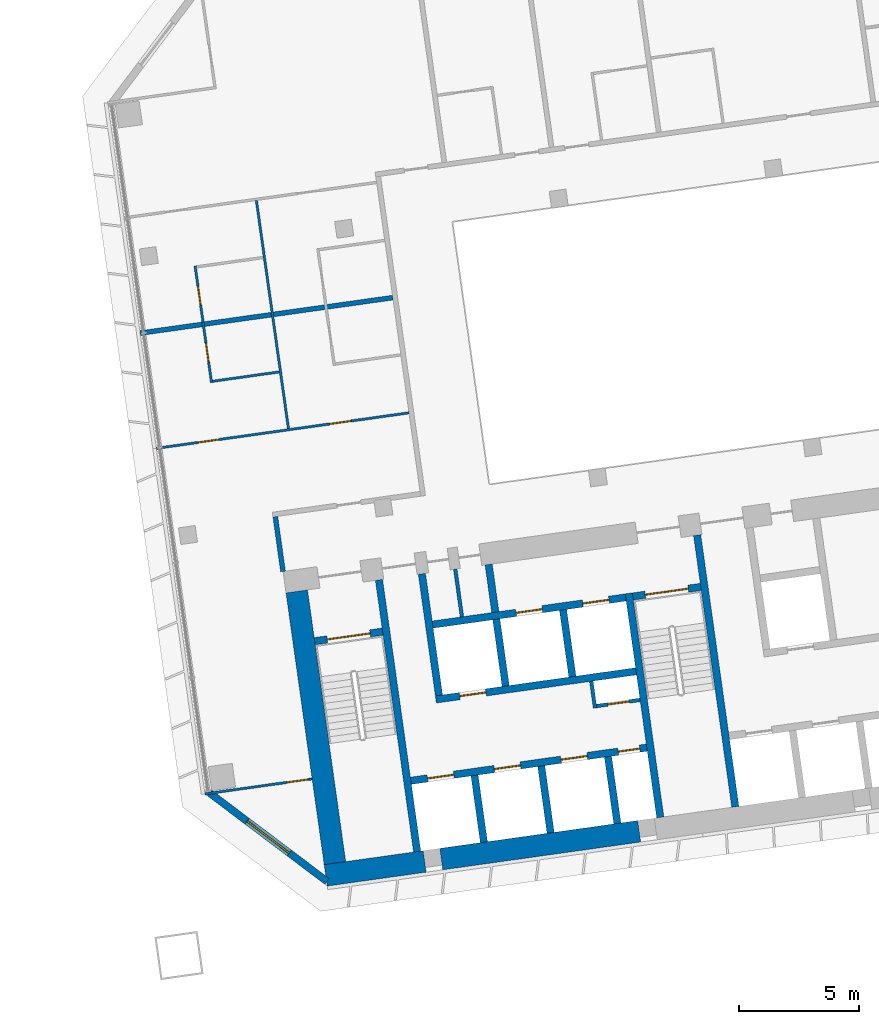
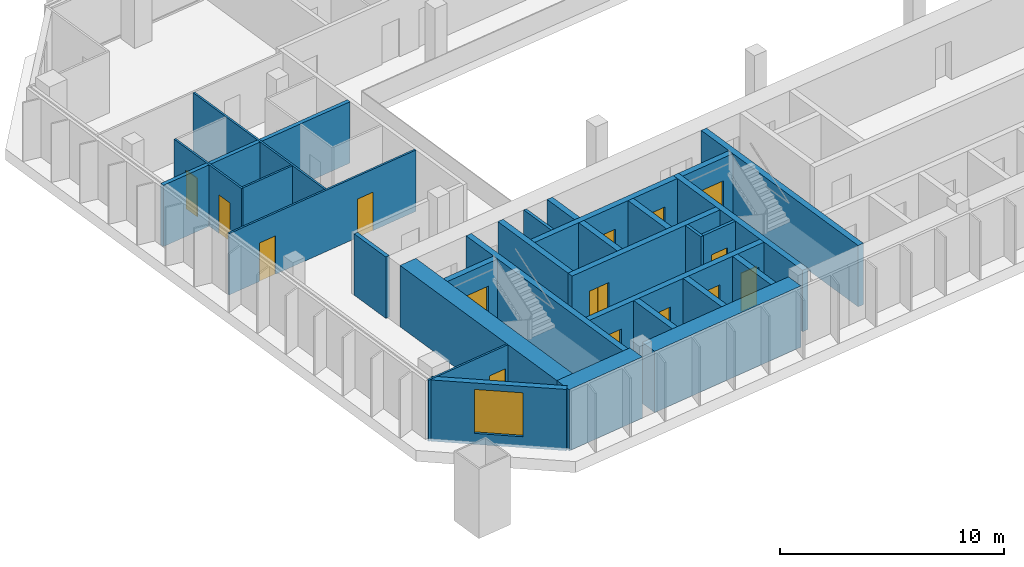
# One storey, part 18 of 25: 29 walls, 15 doors, 1 window, 16 openings.
"""IFC4 building model written with IfcOpenShell, lengths in metres."""

from ifc_helpers import new_model, si_unit, direction, frame, frame_2d, origin, place, context, subcontext, project, spatial, rectangle, extrude, material, layer, layer_set, type_object, element, fill, save


model = new_model("IFC4")

# Units and contexts
model_context = context("Model", 3, precision=1e-05, world=origin(), true_north=direction((0.0, 1.0)))
body_context = subcontext(model_context, "Body", "Model", "MODEL_VIEW")
ifc_project = project(units=[si_unit("LENGTHUNIT", "METRE"), si_unit("AREAUNIT", "SQUARE_METRE"), si_unit("VOLUMEUNIT", "CUBIC_METRE"), si_unit("PLANEANGLEUNIT", "RADIAN"), si_unit("MASSUNIT", "GRAM", prefix="KILO")], contexts=[model_context])

# Site, building, storey
site_placement = place(None, origin())
site = spatial("IfcSite", under=ifc_project, at=site_placement, CompositionType="ELEMENT")
building_placement = place(site_placement, origin())
building = spatial("IfcBuilding", under=site, at=building_placement, Name="Mirante Cascada Hotel Towers", CompositionType="ELEMENT")
storey_placement = place(building_placement, frame((0.0, 0.0, 69.9)))
storey = spatial("IfcBuildingStorey", under=building, at=storey_placement, Name="L14", CompositionType="ELEMENT", Elevation=69.9)

# Walls
ifc_material_1 = material(Name="Fire-rated plasterboard on metal studs")
ifc_layer_1 = layer(ifc_material_1, 0.2)
ifc_layer_set_1 = layer_set([ifc_layer_1], Name="Compartment wall 200 EI 120")
wall_type_1 = type_object("IfcWallType", Name="Compartment wall 200 EI 120", PredefinedType="PARTITIONING", material=ifc_layer_set_1)
wall_1_placement = place(storey_placement, frame((29.3273, 2.7863, 0.0), z_axis=(0.0, 0.0, 1.0), x_axis=(0.9902686, 0.1391691, 0.0)))
element("IfcWall", 1, at=wall_1_placement, inside=storey, type_object=wall_type_1, Name="Wall 2-L14-11", PredefinedType="PARTITIONING", context=body_context, shape_type="SweptSolid", body=[
    extrude(rectangle(XDim=10.6001, YDim=0.2, at=frame_2d((5.3, 0.0))), origin(), (0.0, 0.0, 1.0), 3.35),
])
wall_2_placement = place(storey_placement, frame((34.9433, -4.8397, 0.0), z_axis=(0.0, 0.0, 1.0), x_axis=(0.1391749, -0.9902678, 0.0)))
element("IfcWall", 2, at=wall_2_placement, inside=storey, type_object=wall_type_1, Name="Wall 2-L14-30", PredefinedType="PARTITIONING", context=body_context, shape_type="SweptSolid", body=[
    extrude(rectangle(XDim=2.3, YDim=0.2, at=frame_2d((1.15, 0.0))), origin(), (0.0, 0.0, 1.0), 3.35),
])
ifc_material_2 = material(Name="Masonry block", Category="masonry")
ifc_layer_2 = layer(ifc_material_2, 0.15)
ifc_layer_set_2 = layer_set([ifc_layer_2], Name="Core room partition 150 block EI 30")
wall_type_2 = type_object("IfcWallType", Name="Core room partition 150 block EI 30", PredefinedType="PARTITIONING", material=ifc_layer_set_2)
wall_3_placement = place(storey_placement, frame((48.2295, -12.793, 0.0), z_axis=(0.0, 0.0, 1.0), x_axis=(-0.1391935, 0.9902652, 0.0)))
element("IfcWall", 3, at=wall_3_placement, inside=storey, type_object=wall_type_2, Name="Core wall partition T2 L14 2", PredefinedType="PARTITIONING", context=body_context, shape_type="SweptSolid", body=[
    extrude(rectangle(XDim=1.1251, YDim=0.15, at=frame_2d((0.5626, 0.0))), origin(), (0.0, 0.0, 1.0), 3.35),
])

# Wall, opening, door
wall_4_placement = place(storey_placement, frame((48.2933, -12.7083, 0.0), z_axis=(0.0, 0.0, 1.0), x_axis=(0.990268, 0.1391734, 0.0)))
wall_4 = element("IfcWall", 4, at=wall_4_placement, inside=storey, type_object=wall_type_2, Name="Core wall partition T2 L14 3", PredefinedType="PARTITIONING", context=body_context, shape_type="SweptSolid", body=[
    extrude(rectangle(XDim=1.8251, YDim=0.15, at=frame_2d((0.9126, 0.0))), origin(), (0.0, 0.0, 1.0), 3.35),
])
opening_1_placement = place(wall_4_placement, frame((0.4625, 0.0, 0.0)))
opening_1 = element("IfcOpeningElement", 5, at=opening_1_placement, cuts=wall_4, Name="Opening D2-14-C23", PredefinedType="OPENING", context=body_context, shape_type="SweptSolid", body=[
    extrude(rectangle(XDim=0.9, YDim=2.1, at=frame_2d((0.45, 1.05))), frame((0.0, 0.075, 0.0), z_axis=(0.0, -1.0, 0.0), x_axis=(1.0, 0.0, 0.0)), (0.0, 0.0, 1.0), 0.15),
])
ifc_material_3 = material(Name="Hollow metal fire door leaf")
door_type_1 = type_object("IfcDoorType", Name="Fire door 900x2100 FD60", OperationType="NOTDEFINED", PredefinedType="DOOR", material=ifc_material_3)
door_1_placement = place(opening_1_placement, frame((0.9, 0.0, 0.0), z_axis=(0.0, 0.0, 1.0), x_axis=(-1.0, 0.0, 0.0)))
door_1 = element("IfcDoor", 6, at=door_1_placement, inside=storey, type_object=door_type_1, Name="Riser door T2 L14 23", OperationType="SINGLE_SWING_RIGHT", OverallHeight=2.1, OverallWidth=0.9, PredefinedType="DOOR", context=body_context, shape_type="SweptSolid", body=[
    extrude(rectangle(XDim=0.9, YDim=2.1, at=frame_2d((0.45, 1.05))), frame((0.0, 0.025, 0.0), z_axis=(0.0, -1.0, 0.0), x_axis=(1.0, 0.0, 0.0)), (0.0, 0.0, 1.0), 0.05),
])
fill(opening_1, door_1)

# Walls
wall_5_placement = place(storey_placement, frame((42.6979, -9.0009, 0.0), z_axis=(0.0, 0.0, 1.0), x_axis=(-0.1391529, 0.9902709, 0.0)))
element("IfcWall", 7, at=wall_5_placement, inside=storey, type_object=wall_type_2, Name="Core wall partition T2 L14 4", PredefinedType="PARTITIONING", context=body_context, shape_type="SweptSolid", body=[
    extrude(rectangle(XDim=2.0, YDim=0.15, at=frame_2d((1.0, 0.0))), origin(), (0.0, 0.0, 1.0), 3.35),
])
ifc_material_4 = material(Name="Masonry block", Category="masonry")
ifc_layer_3 = layer(ifc_material_4, 0.3)
ifc_layer_set_3 = layer_set([ifc_layer_3], Name="Core wall 300 block EI 120")
wall_type_3 = type_object("IfcWallType", Name="Core wall 300 block EI 120", PredefinedType="PARTITIONING", material=ifc_layer_set_3)
wall_6_placement = place(storey_placement, frame((44.0843, -8.8061, 0.0), z_axis=(0.0, 0.0, 1.0), x_axis=(-0.1391951, 0.990265, 0.0)))
element("IfcWall", 8, at=wall_6_placement, inside=storey, type_object=wall_type_3, Name="Core wall partition T2 L14 1", PredefinedType="PARTITIONING", context=body_context, shape_type="SweptSolid", body=[
    extrude(rectangle(XDim=2.0001, YDim=0.3, at=frame_2d((1.0001, 0.0))), origin(), (0.0, 0.0, 1.0), 3.35),
])

# Wall, opening, door
ifc_material_5 = material(Name="Plasterboard on metal studs")
ifc_layer_4 = layer(ifc_material_5, 0.1)
ifc_layer_set_4 = layer_set([ifc_layer_4], Name="Partition 100")
wall_type_4 = type_object("IfcWallType", Name="Partition 100", PredefinedType="PARTITIONING", material=ifc_layer_set_4)
wall_7_placement = place(storey_placement, frame((32.018, -16.3589, 0.0), z_axis=(0.0, 0.0, 1.0), x_axis=(0.9902674, 0.1391779, 0.0)))
wall_7 = element("IfcWall", 9, at=wall_7_placement, inside=storey, type_object=wall_type_4, Name="Wall 2-L14-01", PredefinedType="PARTITIONING", context=body_context, shape_type="SweptSolid", body=[
    extrude(rectangle(XDim=4.5, YDim=0.1, at=frame_2d((2.25, 0.0))), origin(), (0.0, 0.0, 1.0), 3.35),
])
opening_2_placement = place(wall_7_placement, frame((3.45, 0.0, 0.0)))
opening_2 = element("IfcOpeningElement", 10, at=opening_2_placement, cuts=wall_7, Name="Opening D2-L14-01", PredefinedType="OPENING", context=body_context, shape_type="SweptSolid", body=[
    extrude(rectangle(XDim=0.9, YDim=2.1, at=frame_2d((0.45, 1.05))), frame((0.0, 0.05, 0.0), z_axis=(0.0, -1.0, 0.0), x_axis=(1.0, 0.0, 0.0)), (0.0, 0.0, 1.0), 0.1),
])
ifc_material_6 = material(Name="Timber door leaf", Category="wood")
door_type_2 = type_object("IfcDoorType", Name="Room door DG3 900x2100", OperationType="SINGLE_SWING_LEFT", PredefinedType="DOOR", material=ifc_material_6)
door_2_placement = place(opening_2_placement, origin())
door_2 = element("IfcDoor", 11, at=door_2_placement, inside=storey, type_object=door_type_2, Name="Door D2-L14-01", OperationType="SINGLE_SWING_LEFT", OverallHeight=2.1, OverallWidth=0.9, PredefinedType="DOOR", context=body_context, shape_type="SweptSolid", body=[
    extrude(rectangle(XDim=0.9, YDim=2.1, at=frame_2d((0.45, 1.05))), frame((0.0, 0.025, 0.0), z_axis=(0.0, -1.0, 0.0), x_axis=(1.0, 0.0, 0.0)), (0.0, 0.0, 1.0), 0.05),
])
fill(opening_2, door_2)

# Wall, openings, doors
wall_8_placement = place(storey_placement, frame((40.4968, -0.5248, 0.0), z_axis=(0.0, 0.0, 1.0), x_axis=(-0.9902684, -0.1391704, 0.0)))
wall_8 = element("IfcWall", 12, at=wall_8_placement, inside=storey, type_object=wall_type_4, Name="Wall 2-L14-06", PredefinedType="PARTITIONING", context=body_context, shape_type="SweptSolid", body=[
    extrude(rectangle(XDim=10.6, YDim=0.1, at=frame_2d((5.3, 0.0))), origin(), (0.0, 0.0, 1.0), 3.35),
])
opening_3_placement = place(wall_8_placement, frame((7.975, 0.0, 0.0)))
opening_3 = element("IfcOpeningElement", 13, at=opening_3_placement, cuts=wall_8, Name="Opening D2-L14-05", PredefinedType="OPENING", context=body_context, shape_type="SweptSolid", body=[
    extrude(rectangle(XDim=0.9, YDim=2.1, at=frame_2d((0.45, 1.05))), frame((0.0, 0.05, 0.0), z_axis=(0.0, -1.0, 0.0), x_axis=(1.0, 0.0, 0.0)), (0.0, 0.0, 1.0), 0.1),
])
opening_4_placement = place(wall_8_placement, frame((2.425, 0.0, 0.0)))
opening_4 = element("IfcOpeningElement", 14, at=opening_4_placement, cuts=wall_8, Name="Opening D2-L14-06", PredefinedType="OPENING", context=body_context, shape_type="SweptSolid", body=[
    extrude(rectangle(XDim=0.9, YDim=2.1, at=frame_2d((0.45, 1.05))), frame((0.0, 0.05, 0.0), z_axis=(0.0, -1.0, 0.0), x_axis=(1.0, 0.0, 0.0)), (0.0, 0.0, 1.0), 0.1),
])
door_3_placement = place(opening_3_placement, origin())
door_3 = element("IfcDoor", 15, at=door_3_placement, inside=storey, type_object=door_type_2, Name="Door D2-L14-05", OperationType="SINGLE_SWING_LEFT", OverallHeight=2.1, OverallWidth=0.9, PredefinedType="DOOR", context=body_context, shape_type="SweptSolid", body=[
    extrude(rectangle(XDim=0.9, YDim=2.1, at=frame_2d((0.45, 1.05))), frame((0.0, 0.025, 0.0), z_axis=(0.0, -1.0, 0.0), x_axis=(1.0, 0.0, 0.0)), (0.0, 0.0, 1.0), 0.05),
])
fill(opening_3, door_3)
door_4_placement = place(opening_4_placement, origin())
door_4 = element("IfcDoor", 16, at=door_4_placement, inside=storey, type_object=door_type_2, Name="Door D2-L14-06", OperationType="SINGLE_SWING_LEFT", OverallHeight=2.1, OverallWidth=0.9, PredefinedType="DOOR", context=body_context, shape_type="SweptSolid", body=[
    extrude(rectangle(XDim=0.9, YDim=2.1, at=frame_2d((0.45, 1.05))), frame((0.0, 0.025, 0.0), z_axis=(0.0, -1.0, 0.0), x_axis=(1.0, 0.0, 0.0)), (0.0, 0.0, 1.0), 0.05),
])
fill(opening_4, door_4)

# Wall
wall_9_placement = place(storey_placement, frame((32.3351, 0.7854, 0.0), z_axis=(0.0, 0.0, 1.0), x_axis=(0.990267, 0.139181, 0.0)))
element("IfcWall", 17, at=wall_9_placement, inside=storey, type_object=wall_type_4, Name="Wall 2-L14-09", PredefinedType="PARTITIONING", context=body_context, shape_type="SweptSolid", body=[
    extrude(rectangle(XDim=2.8, YDim=0.1, at=frame_2d((1.4, 0.0))), origin(), (0.0, 0.0, 1.0), 3.35),
])

# Wall, openings, doors
wall_10_placement = place(storey_placement, frame((32.2925, 0.7289, 0.0), z_axis=(0.0, 0.0, 1.0), x_axis=(-0.1391638, 0.9902694, 0.0)))
wall_10 = element("IfcWall", 18, at=wall_10_placement, inside=storey, type_object=wall_type_4, Name="Wall 2-L14-29", PredefinedType="PARTITIONING", context=body_context, shape_type="SweptSolid", body=[
    extrude(rectangle(XDim=4.9, YDim=0.1, at=frame_2d((2.45, 0.0))), origin(), (0.0, 0.0, 1.0), 3.35),
])
opening_5_placement = place(wall_10_placement, frame((0.85, 0.0, 0.0)))
opening_5 = element("IfcOpeningElement", 19, at=opening_5_placement, cuts=wall_10, Name="Opening D2-L14-29", PredefinedType="OPENING", context=body_context, shape_type="SweptSolid", body=[
    extrude(rectangle(XDim=0.8, YDim=2.1, at=frame_2d((0.4, 1.05))), frame((0.0, 0.05, 0.0), z_axis=(0.0, -1.0, 0.0), x_axis=(1.0, 0.0, 0.0)), (0.0, 0.0, 1.0), 0.1),
])
opening_6_placement = place(wall_10_placement, frame((3.25, 0.0, 0.0)))
opening_6 = element("IfcOpeningElement", 20, at=opening_6_placement, cuts=wall_10, Name="Opening D2-L14-30", PredefinedType="OPENING", context=body_context, shape_type="SweptSolid", body=[
    extrude(rectangle(XDim=0.8, YDim=2.1, at=frame_2d((0.4, 1.05))), frame((0.0, 0.05, 0.0), z_axis=(0.0, -1.0, 0.0), x_axis=(1.0, 0.0, 0.0)), (0.0, 0.0, 1.0), 0.1),
])
ifc_material_7 = material(Name="Timber door leaf", Category="wood")
door_type_3 = type_object("IfcDoorType", Name="Bathroom door DG4 800x2100", OperationType="SINGLE_SWING_LEFT", PredefinedType="DOOR", material=ifc_material_7)
door_5_placement = place(opening_5_placement, frame((0.8, 0.0, 0.0), z_axis=(0.0, 0.0, 1.0), x_axis=(-1.0, 0.0, 0.0)))
door_5 = element("IfcDoor", 21, at=door_5_placement, inside=storey, type_object=door_type_3, Name="Door D2-L14-29", OperationType="SINGLE_SWING_RIGHT", OverallHeight=2.1, OverallWidth=0.8, PredefinedType="DOOR", context=body_context, shape_type="SweptSolid", body=[
    extrude(rectangle(XDim=0.8, YDim=2.1, at=frame_2d((0.4, 1.05))), frame((0.0, 0.025, 0.0), z_axis=(0.0, -1.0, 0.0), x_axis=(1.0, 0.0, 0.0)), (0.0, 0.0, 1.0), 0.05),
])
fill(opening_5, door_5)
door_6_placement = place(opening_6_placement, frame((0.8, 0.0, 0.0), z_axis=(0.0, 0.0, 1.0), x_axis=(-1.0, 0.0, 0.0)))
door_6 = element("IfcDoor", 22, at=door_6_placement, inside=storey, type_object=door_type_3, Name="Door D2-L14-30", OperationType="SINGLE_SWING_RIGHT", OverallHeight=2.1, OverallWidth=0.8, PredefinedType="DOOR", context=body_context, shape_type="SweptSolid", body=[
    extrude(rectangle(XDim=0.8, YDim=2.1, at=frame_2d((0.4, 1.05))), frame((0.0, 0.025, 0.0), z_axis=(0.0, -1.0, 0.0), x_axis=(1.0, 0.0, 0.0)), (0.0, 0.0, 1.0), 0.05),
])
fill(opening_6, door_6)

# Wall
wall_11_placement = place(storey_placement, frame((34.1576, 8.2955, 0.0), z_axis=(0.0, 0.0, 1.0), x_axis=(0.1391703, -0.9902685, 0.0)))
element("IfcWall", 23, at=wall_11_placement, inside=storey, type_object=wall_type_4, Name="Wall 2-L14-32", PredefinedType="PARTITIONING", context=body_context, shape_type="SweptSolid", body=[
    extrude(rectangle(XDim=9.5667, YDim=0.1, at=frame_2d((4.7834, 0.0))), origin(), (0.0, 0.0, 1.0), 3.35),
])

# Wall, opening, window
ifc_material_8 = material(Name="Precast concrete C40/50", Category="concrete")
ifc_layer_5 = layer(ifc_material_8, 0.3)
ifc_layer_set_5 = layer_set([ifc_layer_5], Name="Precast concrete C40/50 cladding wall 300")
wall_type_5 = type_object("IfcWallType", Name="Precast concrete C40/50 cladding wall 300", PredefinedType="STANDARD", material=ifc_layer_set_5)
wall_12_placement = place(storey_placement, frame((32.2074, -16.3138, 0.0), z_axis=(0.0, 0.0, 1.0), x_axis=(0.7986362, -0.6018141, 0.0)))
wall_12 = element("IfcWall", 24, at=wall_12_placement, inside=storey, type_object=wall_type_5, Name="Corner cladding wall T2 L14 inner rear", PredefinedType="STANDARD", context=body_context, shape_type="SweptSolid", body=[
    extrude(rectangle(XDim=6.1157, YDim=0.3, at=frame_2d((3.0578, 0.0))), origin(), (0.0, 0.0, 1.0), 3.35),
])
opening_7_placement = place(wall_12_placement, frame((1.9578, 0.0, 0.6)))
opening_7 = element("IfcOpeningElement", 25, at=opening_7_placement, cuts=wall_12, Name="Opening W2-14-05", PredefinedType="OPENING", context=body_context, shape_type="SweptSolid", body=[
    extrude(rectangle(XDim=2.2, YDim=2.4, at=frame_2d((1.1, 1.2))), frame((0.0, 0.15, 0.0), z_axis=(0.0, -1.0, 0.0), x_axis=(1.0, 0.0, 0.0)), (0.0, 0.0, 1.0), 0.3),
])
ifc_material_9 = material(Name="Aluminium frame with clear double glazing", Category="aluminium")
window_type = type_object("IfcWindowType", Name="Corner suite window 2200x2400", PartitioningType="DOUBLE_PANEL_VERTICAL", PredefinedType="WINDOW", material=ifc_material_9)
window_placement = place(opening_7_placement, origin())
window = element("IfcWindow", 26, at=window_placement, inside=storey, type_object=window_type, Name="Window W2-14-05", OverallHeight=2.4, OverallWidth=2.2, PartitioningType="SINGLE_PANEL", PredefinedType="WINDOW", context=body_context, shape_type="SweptSolid", body=[
    extrude(rectangle(XDim=2.2, YDim=2.4, at=frame_2d((1.1, 1.2))), frame((0.0, 0.03, 0.0), z_axis=(0.0, -1.0, 0.0), x_axis=(1.0, 0.0, 0.0)), (0.0, 0.0, 1.0), 0.06),
])
fill(opening_7, window)

# Walls
ifc_material_10 = material(Name="Concrete C50/60", Category="concrete")
ifc_layer_6 = layer(ifc_material_10, 0.3)
ifc_layer_set_6 = layer_set([ifc_layer_6], Name="RC core wall 300 C50/60")
wall_type_6 = type_object("IfcWallType", Name="RC core wall 300 C50/60", PredefinedType="SHEAR", material=ifc_layer_set_6)
wall_13_placement = place(storey_placement, frame((40.8373, -18.7548, 0.0), z_axis=(0.0, 0.0, 1.0), x_axis=(-0.1391749, 0.9902678, 0.0)))
element("IfcWall", 27, at=wall_13_placement, inside=storey, type_object=wall_type_6, Name="Core wall T2:L14:5", PredefinedType="SHEAR", context=body_context, shape_type="SweptSolid", body=[
    extrude(rectangle(XDim=11.4, YDim=0.3, at=frame_2d((5.7, 0.0))), origin(), (0.0, 0.0, 1.0), 3.35),
])
wall_14_placement = place(storey_placement, frame((50.938, -17.3352, 0.0), z_axis=(0.0, 0.0, 1.0), x_axis=(-0.1391706, 0.9902684, 0.0)))
element("IfcWall", 28, at=wall_14_placement, inside=storey, type_object=wall_type_6, Name="Core wall T2:L14:6", PredefinedType="SHEAR", context=body_context, shape_type="SweptSolid", body=[
    extrude(rectangle(XDim=9.4, YDim=0.3, at=frame_2d((4.7, 0.0))), origin(), (0.0, 0.0, 1.0), 3.35),
])
wall_15_placement = place(storey_placement, frame((54.0574, -16.8968, 0.0), z_axis=(0.0, 0.0, 1.0), x_axis=(-0.1391761, 0.9902677, 0.0)))
element("IfcWall", 29, at=wall_15_placement, inside=storey, type_object=wall_type_6, Name="Core wall T2:L14:7", PredefinedType="SHEAR", context=body_context, shape_type="SweptSolid", body=[
    extrude(rectangle(XDim=11.3999, YDim=0.3, at=frame_2d((5.7, 0.0))), origin(), (0.0, 0.0, 1.0), 3.35),
])

# Wall, opening, door
wall_16_placement = place(storey_placement, frame((36.5791, -10.0123, 0.0), z_axis=(0.0, 0.0, 1.0), x_axis=(0.9902704, 0.1391564, 0.0)))
wall_16 = element("IfcWall", 30, at=wall_16_placement, inside=storey, type_object=wall_type_6, Name="Core wall T2:L14:9", PredefinedType="SHEAR", context=body_context, shape_type="SweptSolid", body=[
    extrude(rectangle(XDim=2.85, YDim=0.3, at=frame_2d((1.425, 0.0))), origin(), (0.0, 0.0, 1.0), 3.35),
])
opening_8_placement = place(wall_16_placement, frame((0.525, 0.0, 0.0)))
opening_8 = element("IfcOpeningElement", 31, at=opening_8_placement, cuts=wall_16, Name="Opening D2-14-C13", PredefinedType="OPENING", context=body_context, shape_type="SweptSolid", body=[
    extrude(rectangle(XDim=1.8, YDim=2.1, at=frame_2d((0.9, 1.05))), frame((0.0, 0.15, 0.0), z_axis=(0.0, -1.0, 0.0), x_axis=(1.0, 0.0, 0.0)), (0.0, 0.0, 1.0), 0.3),
])
ifc_material_11 = material(Name="Hollow metal fire door leaf")
door_type_4 = type_object("IfcDoorType", Name="Double fire door 1800x2100 FD60", OperationType="DOUBLE_DOOR_SINGLE_SWING", PredefinedType="DOOR", material=ifc_material_11)
door_7_placement = place(opening_8_placement, frame((1.8, 0.0, 0.0), z_axis=(0.0, 0.0, 1.0), x_axis=(-1.0, 0.0, 0.0)))
door_7 = element("IfcDoor", 32, at=door_7_placement, inside=storey, type_object=door_type_4, Name="Stair door T2 L14 13", OperationType="DOUBLE_DOOR_SINGLE_SWING", OverallHeight=2.1, OverallWidth=1.8, PredefinedType="DOOR", context=body_context, shape_type="SweptSolid", body=[
    extrude(rectangle(XDim=0.895, YDim=2.1, at=frame_2d((0.4475, 1.05))), frame((0.0, 0.025, 0.0), z_axis=(0.0, -1.0, 0.0), x_axis=(1.0, 0.0, 0.0)), (0.0, 0.0, 1.0), 0.05),
    extrude(rectangle(XDim=0.895, YDim=2.1, at=frame_2d((1.3525, 1.05))), frame((0.0, 0.025, 0.0), z_axis=(0.0, -1.0, 0.0), x_axis=(1.0, 0.0, 0.0)), (0.0, 0.0, 1.0), 0.05),
])
fill(opening_8, door_7)

wall_17_placement = place(storey_placement, frame((49.7992, -8.1544, 0.0), z_axis=(0.0, 0.0, 1.0), x_axis=(0.9902656, 0.1391909, 0.0)))
wall_17 = element("IfcWall", 33, at=wall_17_placement, inside=storey, type_object=wall_type_6, Name="Core wall T2:L14:10", PredefinedType="SHEAR", context=body_context, shape_type="SweptSolid", body=[
    extrude(rectangle(XDim=2.85, YDim=0.3, at=frame_2d((1.425, 0.0))), origin(), (0.0, 0.0, 1.0), 3.35),
])
opening_9_placement = place(wall_17_placement, frame((0.525, 0.0, 0.0)))
opening_9 = element("IfcOpeningElement", 34, at=opening_9_placement, cuts=wall_17, Name="Opening D2-14-C15", PredefinedType="OPENING", context=body_context, shape_type="SweptSolid", body=[
    extrude(rectangle(XDim=1.8, YDim=2.1, at=frame_2d((0.9, 1.05))), frame((0.0, 0.15, 0.0), z_axis=(0.0, -1.0, 0.0), x_axis=(1.0, 0.0, 0.0)), (0.0, 0.0, 1.0), 0.3),
])
door_8_placement = place(opening_9_placement, frame((1.8, 0.0, 0.0), z_axis=(0.0, 0.0, 1.0), x_axis=(-1.0, 0.0, 0.0)))
door_8 = element("IfcDoor", 35, at=door_8_placement, inside=storey, type_object=door_type_4, Name="Stair door T2 L14 15", OperationType="DOUBLE_DOOR_SINGLE_SWING", OverallHeight=2.1, OverallWidth=1.8, PredefinedType="DOOR", context=body_context, shape_type="SweptSolid", body=[
    extrude(rectangle(XDim=0.895, YDim=2.1, at=frame_2d((0.4475, 1.05))), frame((0.0, 0.025, 0.0), z_axis=(0.0, -1.0, 0.0), x_axis=(1.0, 0.0, 0.0)), (0.0, 0.0, 1.0), 0.05),
    extrude(rectangle(XDim=0.895, YDim=2.1, at=frame_2d((1.3525, 1.05))), frame((0.0, 0.025, 0.0), z_axis=(0.0, -1.0, 0.0), x_axis=(1.0, 0.0, 0.0)), (0.0, 0.0, 1.0), 0.05),
])
fill(opening_9, door_8)

# Wall, openings, doors
wall_18_placement = place(storey_placement, frame((40.5753, -15.8126, 0.0), z_axis=(0.0, 0.0, 1.0), x_axis=(0.9902682, 0.1391725, 0.0)))
wall_18 = element("IfcWall", 36, at=wall_18_placement, inside=storey, type_object=wall_type_6, Name="Core wall T2:L14:12", PredefinedType="SHEAR", context=body_context, shape_type="SweptSolid", body=[
    extrude(rectangle(XDim=9.8999, YDim=0.3, at=frame_2d((4.95, 0.0))), origin(), (0.0, 0.0, 1.0), 3.35),
])
opening_10_placement = place(wall_18_placement, frame((0.7, 0.0, 0.0)))
opening_10 = element("IfcOpeningElement", 37, at=opening_10_placement, cuts=wall_18, Name="Opening LD", PredefinedType="OPENING", context=body_context, shape_type="SweptSolid", body=[
    extrude(rectangle(XDim=1.1, YDim=2.1, at=frame_2d((0.55, 1.05))), frame((0.0, 0.15, 0.0), z_axis=(0.0, -1.0, 0.0), x_axis=(1.0, 0.0, 0.0)), (0.0, 0.0, 1.0), 0.3),
])
opening_11_placement = place(wall_18_placement, frame((3.5, 0.0, 0.0)))
opening_11 = element("IfcOpeningElement", 38, at=opening_11_placement, cuts=wall_18, Name="Opening LD", PredefinedType="OPENING", context=body_context, shape_type="SweptSolid", body=[
    extrude(rectangle(XDim=1.1, YDim=2.1, at=frame_2d((0.55, 1.05))), frame((0.0, 0.15, 0.0), z_axis=(0.0, -1.0, 0.0), x_axis=(1.0, 0.0, 0.0)), (0.0, 0.0, 1.0), 0.3),
])
opening_12_placement = place(wall_18_placement, frame((6.3, 0.0, 0.0)))
opening_12 = element("IfcOpeningElement", 39, at=opening_12_placement, cuts=wall_18, Name="Opening LD", PredefinedType="OPENING", context=body_context, shape_type="SweptSolid", body=[
    extrude(rectangle(XDim=1.1, YDim=2.1, at=frame_2d((0.55, 1.05))), frame((0.0, 0.15, 0.0), z_axis=(0.0, -1.0, 0.0), x_axis=(1.0, 0.0, 0.0)), (0.0, 0.0, 1.0), 0.3),
])
opening_13_placement = place(wall_18_placement, frame((8.7, 0.0, 0.0)))
opening_13 = element("IfcOpeningElement", 40, at=opening_13_placement, cuts=wall_18, Name="Opening D2-14-C22", PredefinedType="OPENING", context=body_context, shape_type="SweptSolid", body=[
    extrude(rectangle(XDim=0.9, YDim=2.1, at=frame_2d((0.45, 1.05))), frame((0.0, 0.15, 0.0), z_axis=(0.0, -1.0, 0.0), x_axis=(1.0, 0.0, 0.0)), (0.0, 0.0, 1.0), 0.3),
])
door_9_placement = place(opening_13_placement, frame((0.9, 0.0, 0.0), z_axis=(0.0, 0.0, 1.0), x_axis=(-1.0, 0.0, 0.0)))
door_9 = element("IfcDoor", 41, at=door_9_placement, inside=storey, type_object=door_type_1, Name="Riser door T2 L14 22", OperationType="SINGLE_SWING_RIGHT", OverallHeight=2.1, OverallWidth=0.9, PredefinedType="DOOR", context=body_context, shape_type="SweptSolid", body=[
    extrude(rectangle(XDim=0.9, YDim=2.1, at=frame_2d((0.45, 1.05))), frame((0.0, 0.025, 0.0), z_axis=(0.0, -1.0, 0.0), x_axis=(1.0, 0.0, 0.0)), (0.0, 0.0, 1.0), 0.05),
])
fill(opening_13, door_9)
ifc_material_12 = material(Name="Stainless steel", Category="steel")
door_type_5 = type_object("IfcDoorType", Name="Lift landing door 1100x2100 EI 120", OperationType="DOUBLE_DOOR_SLIDING", PredefinedType="DOOR", material=ifc_material_12)
door_10_placement = place(opening_10_placement, origin())
door_10 = element("IfcDoor", 42, at=door_10_placement, inside=storey, type_object=door_type_5, Name="Lift landing door HR2-1 L14", OperationType="DOUBLE_DOOR_SLIDING", OverallHeight=2.1, OverallWidth=1.1, PredefinedType="DOOR", context=body_context, shape_type="SweptSolid", body=[
    extrude(rectangle(XDim=0.545, YDim=2.1, at=frame_2d((0.2725, 1.05))), frame((0.0, 0.025, 0.0), z_axis=(0.0, -1.0, 0.0), x_axis=(1.0, 0.0, 0.0)), (0.0, 0.0, 1.0), 0.05),
    extrude(rectangle(XDim=0.545, YDim=2.1, at=frame_2d((0.8275, 1.05))), frame((0.0, 0.025, 0.0), z_axis=(0.0, -1.0, 0.0), x_axis=(1.0, 0.0, 0.0)), (0.0, 0.0, 1.0), 0.05),
])
fill(opening_10, door_10)
door_11_placement = place(opening_11_placement, origin())
door_11 = element("IfcDoor", 43, at=door_11_placement, inside=storey, type_object=door_type_5, Name="Lift landing door HR2-2 L14", OperationType="DOUBLE_DOOR_SLIDING", OverallHeight=2.1, OverallWidth=1.1, PredefinedType="DOOR", context=body_context, shape_type="SweptSolid", body=[
    extrude(rectangle(XDim=0.545, YDim=2.1, at=frame_2d((0.2725, 1.05))), frame((0.0, 0.025, 0.0), z_axis=(0.0, -1.0, 0.0), x_axis=(1.0, 0.0, 0.0)), (0.0, 0.0, 1.0), 0.05),
    extrude(rectangle(XDim=0.545, YDim=2.1, at=frame_2d((0.8275, 1.05))), frame((0.0, 0.025, 0.0), z_axis=(0.0, -1.0, 0.0), x_axis=(1.0, 0.0, 0.0)), (0.0, 0.0, 1.0), 0.05),
])
fill(opening_11, door_11)
door_12_placement = place(opening_12_placement, origin())
door_12 = element("IfcDoor", 44, at=door_12_placement, inside=storey, type_object=door_type_5, Name="Lift landing door HR2-3 L14", OperationType="DOUBLE_DOOR_SLIDING", OverallHeight=2.1, OverallWidth=1.1, PredefinedType="DOOR", context=body_context, shape_type="SweptSolid", body=[
    extrude(rectangle(XDim=0.545, YDim=2.1, at=frame_2d((0.2725, 1.05))), frame((0.0, 0.025, 0.0), z_axis=(0.0, -1.0, 0.0), x_axis=(1.0, 0.0, 0.0)), (0.0, 0.0, 1.0), 0.05),
    extrude(rectangle(XDim=0.545, YDim=2.1, at=frame_2d((0.8275, 1.05))), frame((0.0, 0.025, 0.0), z_axis=(0.0, -1.0, 0.0), x_axis=(1.0, 0.0, 0.0)), (0.0, 0.0, 1.0), 0.05),
])
fill(opening_12, door_12)

# Wall, opening, door
wall_19_placement = place(storey_placement, frame((41.6153, -12.435, 0.0), z_axis=(0.0, 0.0, 1.0), x_axis=(0.9902691, 0.139166, 0.0)))
wall_19 = element("IfcWall", 45, at=wall_19_placement, inside=storey, type_object=wall_type_6, Name="Core wall T2:L14:13", PredefinedType="SHEAR", context=body_context, shape_type="SweptSolid", body=[
    extrude(rectangle(XDim=8.4, YDim=0.3, at=frame_2d((4.2, 0.0))), origin(), (0.0, 0.0, 1.0), 3.35),
])
opening_14_placement = place(wall_19_placement, frame((1.0, 0.0, 0.0)))
opening_14 = element("IfcOpeningElement", 46, at=opening_14_placement, cuts=wall_19, Name="Opening LD", PredefinedType="OPENING", context=body_context, shape_type="SweptSolid", body=[
    extrude(rectangle(XDim=1.1, YDim=2.1, at=frame_2d((0.55, 1.05))), frame((0.0, 0.15, 0.0), z_axis=(0.0, -1.0, 0.0), x_axis=(1.0, 0.0, 0.0)), (0.0, 0.0, 1.0), 0.3),
])
door_13_placement = place(opening_14_placement, origin())
door_13 = element("IfcDoor", 47, at=door_13_placement, inside=storey, type_object=door_type_5, Name="Lift landing door HR2-4 L14", OperationType="DOUBLE_DOOR_SLIDING", OverallHeight=2.1, OverallWidth=1.1, PredefinedType="DOOR", context=body_context, shape_type="SweptSolid", body=[
    extrude(rectangle(XDim=0.545, YDim=2.1, at=frame_2d((0.2725, 1.05))), frame((0.0, 0.025, 0.0), z_axis=(0.0, -1.0, 0.0), x_axis=(1.0, 0.0, 0.0)), (0.0, 0.0, 1.0), 0.05),
    extrude(rectangle(XDim=0.545, YDim=2.1, at=frame_2d((0.8275, 1.05))), frame((0.0, 0.025, 0.0), z_axis=(0.0, -1.0, 0.0), x_axis=(1.0, 0.0, 0.0)), (0.0, 0.0, 1.0), 0.05),
])
fill(opening_14, door_13)

# Wall, openings, doors
wall_20_placement = place(storey_placement, frame((41.481, -9.3234, 0.0), z_axis=(0.0, 0.0, 1.0), x_axis=(0.9902679, 0.1391741, 0.0)))
wall_20 = element("IfcWall", 48, at=wall_20_placement, inside=storey, type_object=wall_type_6, Name="Core wall T2:L14:14", PredefinedType="SHEAR", context=body_context, shape_type="SweptSolid", body=[
    extrude(rectangle(XDim=8.0999, YDim=0.3, at=frame_2d((4.05, 0.0))), origin(), (0.0, 0.0, 1.0), 3.35),
])
opening_15_placement = place(wall_20_placement, frame((3.5, 0.0, 0.0)))
opening_15 = element("IfcOpeningElement", 49, at=opening_15_placement, cuts=wall_20, Name="Opening LD", PredefinedType="OPENING", context=body_context, shape_type="SweptSolid", body=[
    extrude(rectangle(XDim=1.1, YDim=2.1, at=frame_2d((0.55, 1.05))), frame((0.0, 0.15, 0.0), z_axis=(0.0, -1.0, 0.0), x_axis=(1.0, 0.0, 0.0)), (0.0, 0.0, 1.0), 0.3),
])
opening_16_placement = place(wall_20_placement, frame((6.3, 0.0, 0.0)))
opening_16 = element("IfcOpeningElement", 50, at=opening_16_placement, cuts=wall_20, Name="Opening LD", PredefinedType="OPENING", context=body_context, shape_type="SweptSolid", body=[
    extrude(rectangle(XDim=1.1, YDim=2.1, at=frame_2d((0.55, 1.05))), frame((0.0, 0.15, 0.0), z_axis=(0.0, -1.0, 0.0), x_axis=(1.0, 0.0, 0.0)), (0.0, 0.0, 1.0), 0.3),
])
door_14_placement = place(opening_15_placement, origin())
door_14 = element("IfcDoor", 51, at=door_14_placement, inside=storey, type_object=door_type_5, Name="Lift landing door FF3 L14", OperationType="DOUBLE_DOOR_SLIDING", OverallHeight=2.1, OverallWidth=1.1, PredefinedType="DOOR", context=body_context, shape_type="SweptSolid", body=[
    extrude(rectangle(XDim=0.545, YDim=2.1, at=frame_2d((0.2725, 1.05))), frame((0.0, 0.025, 0.0), z_axis=(0.0, -1.0, 0.0), x_axis=(1.0, 0.0, 0.0)), (0.0, 0.0, 1.0), 0.05),
    extrude(rectangle(XDim=0.545, YDim=2.1, at=frame_2d((0.8275, 1.05))), frame((0.0, 0.025, 0.0), z_axis=(0.0, -1.0, 0.0), x_axis=(1.0, 0.0, 0.0)), (0.0, 0.0, 1.0), 0.05),
])
fill(opening_15, door_14)
door_15_placement = place(opening_16_placement, origin())
door_15 = element("IfcDoor", 52, at=door_15_placement, inside=storey, type_object=door_type_5, Name="Lift landing door FF4 L14", OperationType="DOUBLE_DOOR_SLIDING", OverallHeight=2.1, OverallWidth=1.1, PredefinedType="DOOR", context=body_context, shape_type="SweptSolid", body=[
    extrude(rectangle(XDim=0.545, YDim=2.1, at=frame_2d((0.2725, 1.05))), frame((0.0, 0.025, 0.0), z_axis=(0.0, -1.0, 0.0), x_axis=(1.0, 0.0, 0.0)), (0.0, 0.0, 1.0), 0.05),
    extrude(rectangle(XDim=0.545, YDim=2.1, at=frame_2d((0.8275, 1.05))), frame((0.0, 0.025, 0.0), z_axis=(0.0, -1.0, 0.0), x_axis=(1.0, 0.0, 0.0)), (0.0, 0.0, 1.0), 0.05),
])
fill(opening_16, door_15)

# Walls
wall_21_placement = place(storey_placement, frame((43.61, -18.3651, 0.0), z_axis=(0.0, 0.0, 1.0), x_axis=(-0.1391459, 0.9902719, 0.0)))
element("IfcWall", 53, at=wall_21_placement, inside=storey, type_object=wall_type_6, Name="Core wall T2:L14:15", PredefinedType="SHEAR", context=body_context, shape_type="SweptSolid", body=[
    extrude(rectangle(XDim=2.7999, YDim=0.3, at=frame_2d((1.4, 0.0))), origin(), (0.0, 0.0, 1.0), 3.35),
])
wall_22_placement = place(storey_placement, frame((46.3828, -17.9754, 0.0), z_axis=(0.0, 0.0, 1.0), x_axis=(-0.139181, 0.990267, 0.0)))
element("IfcWall", 54, at=wall_22_placement, inside=storey, type_object=wall_type_6, Name="Core wall T2:L14:16", PredefinedType="SHEAR", context=body_context, shape_type="SweptSolid", body=[
    extrude(rectangle(XDim=2.8, YDim=0.3, at=frame_2d((1.4, 0.0))), origin(), (0.0, 0.0, 1.0), 3.35),
])
wall_23_placement = place(storey_placement, frame((49.1555, -17.5857, 0.0), z_axis=(0.0, 0.0, 1.0), x_axis=(-0.1391459, 0.9902719, 0.0)))
element("IfcWall", 55, at=wall_23_placement, inside=storey, type_object=wall_type_6, Name="Core wall T2:L14:17", PredefinedType="SHEAR", context=body_context, shape_type="SweptSolid", body=[
    extrude(rectangle(XDim=2.7999, YDim=0.3, at=frame_2d((1.4, 0.0))), origin(), (0.0, 0.0, 1.0), 3.35),
])
for number, where, z_axis, x_axis, name in (
    (56, (44.5157, -11.8759, 0.0), (0.0, 0.0, 1.0), (-0.139181, 0.990267, 0.0), "Core wall T2:L14:18"),
    (57, (47.2885, -11.4862, 0.0), (0.0, 0.0, 1.0), (-0.139181, 0.990267, 0.0), "Core wall T2:L14:19"),
):
    element("IfcWall", number, at=place(storey_placement, frame(where, z_axis=z_axis, x_axis=x_axis)), inside=storey, type_object=wall_type_6, Name=name, PredefinedType="SHEAR", context=body_context, shape_type="SweptSolid", body=[
        extrude(rectangle(XDim=2.8, YDim=0.3, at=frame_2d((1.4, 0.0))), origin(), (0.0, 0.0, 1.0), 3.35),
    ])
wall_24_placement = place(storey_placement, frame((41.743, -12.2656, 0.0), z_axis=(0.0, 0.0, 1.0), x_axis=(-0.1391755, 0.9902677, 0.0)))
element("IfcWall", 58, at=wall_24_placement, inside=storey, type_object=wall_type_6, Name="Core wall T2:L14:20", PredefinedType="SHEAR", context=body_context, shape_type="SweptSolid", body=[
    extrude(rectangle(XDim=5.1, YDim=0.3, at=frame_2d((2.55, 0.0))), origin(), (0.0, 0.0, 1.0), 3.35),
])
ifc_material_13 = material(Name="Concrete C50/60", Category="concrete")
ifc_layer_7 = layer(ifc_material_13, 0.9)
ifc_layer_set_7 = layer_set([ifc_layer_7], Name="RC core wall 900 C50/60")
wall_type_7 = type_object("IfcWallType", Name="RC core wall 900 C50/60", PredefinedType="SHEAR", material=ifc_layer_set_7)
wall_25_placement = place(storey_placement, frame((37.0379, -19.7432, 0.0), z_axis=(0.0, 0.0, 1.0), x_axis=(0.990267, 0.139181, 0.0)))
element("IfcWall", 59, at=wall_25_placement, inside=storey, type_object=wall_type_7, Name="Core wall T2:L14:1.1", PredefinedType="SHEAR", context=body_context, shape_type="SweptSolid", body=[
    extrude(rectangle(XDim=4.15, YDim=0.9, at=frame_2d((2.075, 0.0))), origin(), (0.0, 0.0, 1.0), 3.35),
])
wall_26_placement = place(storey_placement, frame((41.8407, -19.0682, 0.0), z_axis=(0.0, 0.0, 1.0), x_axis=(0.9902686, 0.1391692, 0.0)))
element("IfcWall", 60, at=wall_26_placement, inside=storey, type_object=wall_type_7, Name="Core wall T2:L14:1.2", PredefinedType="SHEAR", context=body_context, shape_type="SweptSolid", body=[
    extrude(rectangle(XDim=8.3, YDim=0.9, at=frame_2d((4.15, 0.0))), origin(), (0.0, 0.0, 1.0), 3.35),
])
wall_27_placement = place(storey_placement, frame((37.4209, -19.2349, 0.0), z_axis=(0.0, 0.0, 1.0), x_axis=(-0.1391761, 0.9902677, 0.0)))
element("IfcWall", 61, at=wall_27_placement, inside=storey, type_object=wall_type_7, Name="Core wall T2:L14:3", PredefinedType="SHEAR", context=body_context, shape_type="SweptSolid", body=[
    extrude(rectangle(XDim=11.3999, YDim=0.9, at=frame_2d((5.7, 0.0))), origin(), (0.0, 0.0, 1.0), 3.35),
])

save(model, "model.ifc")
